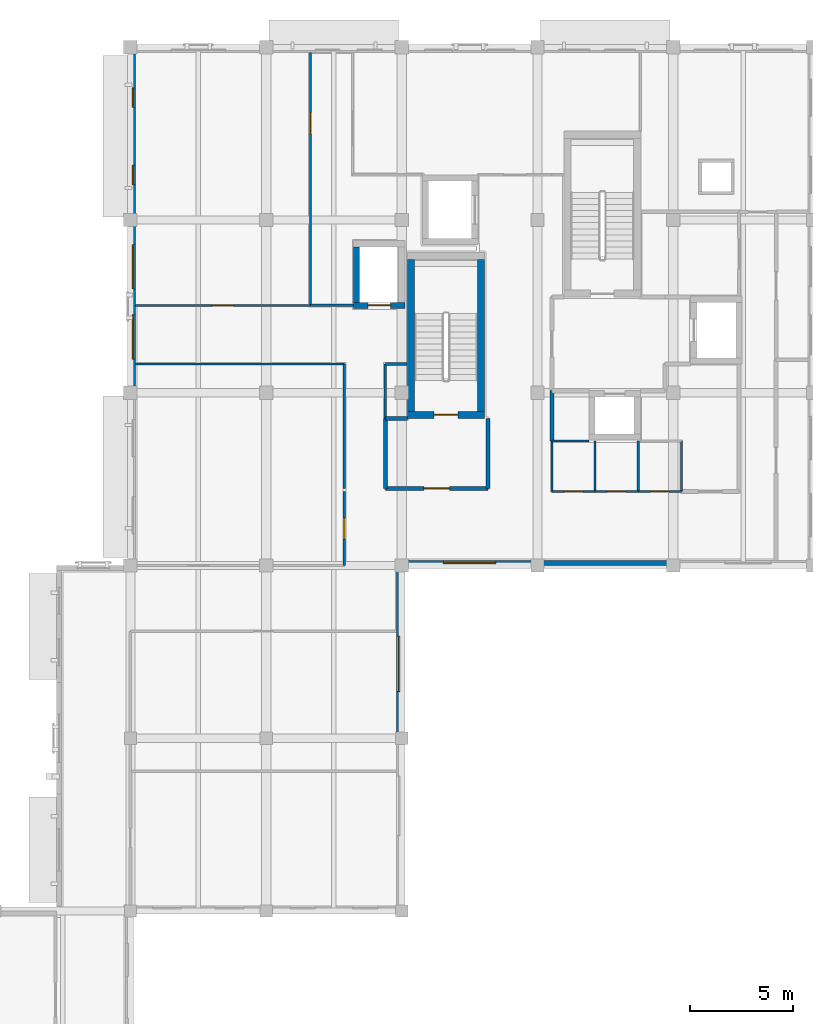
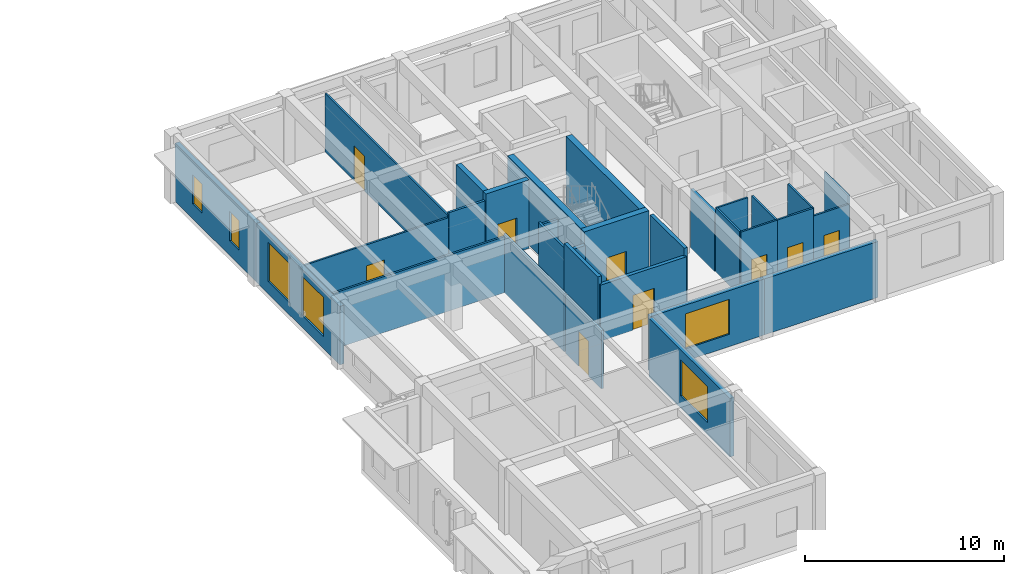
# One storey, part 8 of 14: 31 walls, 9 doors, 6 windows, 15 openings.
"""IFC4 building model written with IfcOpenShell, lengths in metres."""

from ifc_helpers import new_model, si_unit, direction, frame, frame_2d, origin, place, context, subcontext, project, spatial, rectangle, extrude, material, layer, layer_set, type_object, element, fill, save


model = new_model("IFC4")

# Units and contexts
model_context = context("Model", 3, precision=1e-05, world=origin(), true_north=direction((0.0, 1.0)))
body_context = subcontext(model_context, "Body", "Model", "MODEL_VIEW")
ifc_project = project(units=[si_unit("LENGTHUNIT", "METRE"), si_unit("AREAUNIT", "SQUARE_METRE"), si_unit("VOLUMEUNIT", "CUBIC_METRE"), si_unit("PLANEANGLEUNIT", "RADIAN"), si_unit("MASSUNIT", "GRAM", prefix="KILO")], contexts=[model_context])

# Site, building, storey
site_placement = place(None, origin())
site = spatial("IfcSite", under=ifc_project, at=site_placement, CompositionType="ELEMENT")
building_placement = place(site_placement, origin())
building = spatial("IfcBuilding", under=site, at=building_placement, Name="Kolvaren Faculty of Natural Sciences", CompositionType="ELEMENT")
storey_placement = place(building_placement, frame((0.0, 0.0, 28.5)))
storey = spatial("IfcBuildingStorey", under=building, at=storey_placement, Name="L06", CompositionType="ELEMENT", Elevation=28.5)

# Wall, opening, door
ifc_material_1 = material(Name="Concrete C40/50", Category="concrete")
ifc_layer_1 = layer(ifc_material_1, 0.35009765625)
ifc_layer_set_1 = layer_set([ifc_layer_1], Name="Concrete C40/50")
wall_type_1 = type_object("IfcWallType", Name="CoreShearWall_350", PredefinedType="SHEAR", material=ifc_layer_set_1)
wall_1_placement = place(storey_placement, frame((152.27490234375, 66.324951171875, 0.0), z_axis=(0.0, 0.0, 1.0), x_axis=(1.0, 0.0, 0.0)))
wall_1 = element("IfcWall", 1, at=wall_1_placement, inside=storey, type_object=wall_type_1, Name="L06 CORE-C2 stair shear wall S", PredefinedType="SHEAR", context=body_context, shape_type="SweptSolid", body=[
    extrude(rectangle(XDim=3.75, YDim=0.35009765625, at=frame_2d((1.875, 0.0))), origin(), (0.0, 0.0, 1.0), 4.199951171875),
])
opening_1_placement = place(wall_1_placement, frame((1.300048828125, 0.0, 0.0)))
opening_1 = element("IfcOpeningElement", 2, at=opening_1_placement, cuts=wall_1, Name="Opening FD90", PredefinedType="OPENING", context=body_context, shape_type="SweptSolid", body=[
    extrude(rectangle(XDim=1.14990234375, YDim=2.14990234375, at=frame_2d((0.574951171875, 1.074951171875))), frame((0.0, 0.18505859375, 0.0), z_axis=(0.0, -1.0, 0.0), x_axis=(1.0, 0.0, 0.0)), (0.0, 0.0, 1.0), 0.3701171875),
])
ifc_material_2 = material(Name="Fire-rated solid-core hardwood door leaf in steel frame", Category="steel")
door_type_1 = type_object("IfcDoorType", Name="StairCoreFireDoor_1150x2150", OperationType="NOTDEFINED", PredefinedType="DOOR", material=ifc_material_2)
door_1_placement = place(opening_1_placement, origin())
door_1 = element("IfcDoor", 3, at=door_1_placement, inside=storey, type_object=door_type_1, Name="D-ST-ST-2-L06", OperationType="SINGLE_SWING_RIGHT", OverallHeight=2.14990234375, OverallWidth=1.14990234375, PredefinedType="DOOR", context=body_context, shape_type="SweptSolid", body=[
    extrude(rectangle(XDim=1.14990234375, YDim=2.14990234375, at=frame_2d((0.574951171875, 1.074951171875))), frame((0.0, 0.02490234375, 0.0), z_axis=(0.0, -1.0, 0.0), x_axis=(1.0, 0.0, 0.0)), (0.0, 0.0, 1.0), 0.050048828125),
])
fill(opening_1, door_1)

# Walls
for number, where, z_axis, x_axis, name in (
    (4, (152.449951171875, 66.5, 0.0), (0.0, 0.0, 1.0), (0.0, 1.0, 0.0), "L06 CORE-C2 stair shear wall W"),
    (5, (155.85009765625, 66.5, 0.0), (0.0, 0.0, 1.0), (0.0, 1.0, 0.0), "L06 CORE-C2 stair shear wall E"),
):
    element("IfcWall", number, at=place(storey_placement, frame(where, z_axis=z_axis, x_axis=x_axis)), inside=storey, type_object=wall_type_1, Name=name, PredefinedType="SHEAR", context=body_context, shape_type="SweptSolid", body=[
        extrude(rectangle(XDim=7.375, YDim=0.35009765625, at=frame_2d((3.6875, 0.0))), origin(), (0.0, 0.0, 1.0), 4.199951171875),
    ])

# Wall, openings, windows
ifc_material_3 = material(Name="Precast concrete C35/45", Category="concrete")
ifc_layer_2 = layer(ifc_material_3, 0.25)
ifc_layer_set_2 = layer_set([ifc_layer_2], Name="Precast concrete C35/45")
wall_type_2 = type_object("IfcWallType", Name="ExteriorTowerWall_250", PredefinedType="STANDARD", material=ifc_layer_set_2)
wall_2_placement = place(storey_placement, frame((138.925048828125, 67.39990234375, 0.0), z_axis=(0.0, 0.0, 1.0), x_axis=(0.0, 1.0, 0.0)))
wall_2 = element("IfcWall", 6, at=wall_2_placement, inside=storey, type_object=wall_type_2, Name="L06 exterior masonry wall EW-250 (690)", PredefinedType="STANDARD", context=body_context, shape_type="SweptSolid", body=[
    extrude(rectangle(XDim=8.400146484375, YDim=0.25, at=frame_2d((4.2001953125, 0.0))), origin(), (0.0, 0.0, 1.0), 3.5849609375),
])
opening_2_placement = place(wall_2_placement, frame((1.639892578125, 0.0, 0.75)))
opening_2 = element("IfcOpeningElement", 7, at=opening_2_placement, cuts=wall_2, Name="Opening WIN-22", PredefinedType="OPENING", context=body_context, shape_type="SweptSolid", body=[
    extrude(rectangle(XDim=2.14990234375, YDim=2.39990234375, at=frame_2d((1.074951171875, 1.199951171875))), frame((0.0, 0.135009765625, 0.0), z_axis=(0.0, -1.0, 0.0), x_axis=(1.0, 0.0, 0.0)), (0.0, 0.0, 1.0), 0.27001953125),
])
opening_3_placement = place(wall_2_placement, frame((5.056884765625, 0.0, 0.75)))
opening_3 = element("IfcOpeningElement", 8, at=opening_3_placement, cuts=wall_2, Name="Opening WIN-22", PredefinedType="OPENING", context=body_context, shape_type="SweptSolid", body=[
    extrude(rectangle(XDim=2.14990234375, YDim=2.39990234375, at=frame_2d((1.074951171875, 1.199951171875))), frame((0.0, 0.135009765625, 0.0), z_axis=(0.0, -1.0, 0.0), x_axis=(1.0, 0.0, 0.0)), (0.0, 0.0, 1.0), 0.27001953125),
])
ifc_material_4 = material(Name="Double low-E solar control insulated glazing", Category="glass")
window_type_1 = type_object("IfcWindowType", Name="AluWindow_WIN22_2150x2400", PartitioningType="SINGLE_PANEL", PredefinedType="WINDOW", material=ifc_material_4)
window_1_placement = place(opening_2_placement, origin())
window_1 = element("IfcWindow", 9, at=window_1_placement, inside=storey, type_object=window_type_1, Name="WIN-L06-0522", OverallHeight=2.39990234375, OverallWidth=2.14990234375, PartitioningType="SINGLE_PANEL", PredefinedType="WINDOW", context=body_context, shape_type="SweptSolid", body=[
    extrude(rectangle(XDim=2.14990234375, YDim=2.39990234375, at=frame_2d((1.074951171875, 1.199951171875))), frame((0.0, 0.030029296875, 0.0), z_axis=(0.0, -1.0, 0.0), x_axis=(1.0, 0.0, 0.0)), (0.0, 0.0, 1.0), 0.06005859375),
])
fill(opening_2, window_1)
window_2_placement = place(opening_3_placement, origin())
window_2 = element("IfcWindow", 10, at=window_2_placement, inside=storey, type_object=window_type_1, Name="WIN-L06-0523", OverallHeight=2.39990234375, OverallWidth=2.14990234375, PartitioningType="SINGLE_PANEL", PredefinedType="WINDOW", context=body_context, shape_type="SweptSolid", body=[
    extrude(rectangle(XDim=2.14990234375, YDim=2.39990234375, at=frame_2d((1.074951171875, 1.199951171875))), frame((0.0, 0.030029296875, 0.0), z_axis=(0.0, -1.0, 0.0), x_axis=(1.0, 0.0, 0.0)), (0.0, 0.0, 1.0), 0.06005859375),
])
fill(opening_3, window_2)

wall_3_placement = place(storey_placement, frame((138.925048828125, 75.800048828125, 0.0), z_axis=(0.0, 0.0, 1.0), x_axis=(0.0, 1.0, 0.0)))
wall_3 = element("IfcWall", 11, at=wall_3_placement, inside=storey, type_object=wall_type_2, Name="L06 exterior masonry wall EW-250 (691)", PredefinedType="STANDARD", context=body_context, shape_type="SweptSolid", body=[
    extrude(rectangle(XDim=8.14990234375, YDim=0.25, at=frame_2d((4.074951171875, 0.0))), origin(), (0.0, 0.0, 1.0), 3.5849609375),
])
opening_4_placement = place(wall_3_placement, frame((1.7255859375, 0.0, 0.89990234375)))
opening_4 = element("IfcOpeningElement", 12, at=opening_4_placement, cuts=wall_3, Name="Opening WIN-23", PredefinedType="OPENING", context=body_context, shape_type="SweptSolid", body=[
    extrude(rectangle(XDim=0.949951171875, YDim=1.800048828125, at=frame_2d((0.47509765625, 0.89990234375))), frame((0.0, 0.135009765625, 0.0), z_axis=(0.0, -1.0, 0.0), x_axis=(1.0, 0.0, 0.0)), (0.0, 0.0, 1.0), 0.27001953125),
])
opening_5_placement = place(wall_3_placement, frame((5.474609375, 0.0, 0.89990234375)))
opening_5 = element("IfcOpeningElement", 13, at=opening_5_placement, cuts=wall_3, Name="Opening WIN-23", PredefinedType="OPENING", context=body_context, shape_type="SweptSolid", body=[
    extrude(rectangle(XDim=0.949951171875, YDim=1.800048828125, at=frame_2d((0.47509765625, 0.89990234375))), frame((0.0, 0.135009765625, 0.0), z_axis=(0.0, -1.0, 0.0), x_axis=(1.0, 0.0, 0.0)), (0.0, 0.0, 1.0), 0.27001953125),
])
window_type_2 = type_object("IfcWindowType", Name="AluWindow_WIN23_950x1800", PartitioningType="SINGLE_PANEL", PredefinedType="WINDOW", material=ifc_material_4)
window_3_placement = place(opening_4_placement, origin())
window_3 = element("IfcWindow", 14, at=window_3_placement, inside=storey, type_object=window_type_2, Name="WIN-L06-0524", OverallHeight=1.800048828125, OverallWidth=0.949951171875, PartitioningType="SINGLE_PANEL", PredefinedType="WINDOW", context=body_context, shape_type="SweptSolid", body=[
    extrude(rectangle(XDim=0.949951171875, YDim=1.800048828125, at=frame_2d((0.47509765625, 0.89990234375))), frame((0.0, 0.030029296875, 0.0), z_axis=(0.0, -1.0, 0.0), x_axis=(1.0, 0.0, 0.0)), (0.0, 0.0, 1.0), 0.06005859375),
])
fill(opening_4, window_3)
window_4_placement = place(opening_5_placement, origin())
window_4 = element("IfcWindow", 15, at=window_4_placement, inside=storey, type_object=window_type_2, Name="WIN-L06-0525", OverallHeight=1.800048828125, OverallWidth=0.949951171875, PartitioningType="SINGLE_PANEL", PredefinedType="WINDOW", context=body_context, shape_type="SweptSolid", body=[
    extrude(rectangle(XDim=0.949951171875, YDim=1.800048828125, at=frame_2d((0.47509765625, 0.89990234375))), frame((0.0, 0.030029296875, 0.0), z_axis=(0.0, -1.0, 0.0), x_axis=(1.0, 0.0, 0.0)), (0.0, 0.0, 1.0), 0.06005859375),
])
fill(opening_5, window_4)

# Wall
wall_4_placement = place(storey_placement, frame((165.199951171875, 59.125, 0.0), z_axis=(0.0, 0.0, 1.0), x_axis=(-1.0, 0.0, 0.0)))
element("IfcWall", 16, at=wall_4_placement, inside=storey, type_object=wall_type_2, Name="L06 exterior masonry wall EW-250 (701)", PredefinedType="STANDARD", context=body_context, shape_type="SweptSolid", body=[
    extrude(rectangle(XDim=6.599853515625, YDim=0.25, at=frame_2d((3.2998046875, 0.0))), origin(), (0.0, 0.0, 1.0), 3.43505859375),
])

# Wall, opening, window
wall_5_placement = place(storey_placement, frame((158.60009765625, 59.125, 0.0), z_axis=(0.0, 0.0, 1.0), x_axis=(-1.0, 0.0, 0.0)))
wall_5 = element("IfcWall", 17, at=wall_5_placement, inside=storey, type_object=wall_type_2, Name="L06 exterior masonry wall EW-250 (702)", PredefinedType="STANDARD", context=body_context, shape_type="SweptSolid", body=[
    extrude(rectangle(XDim=6.60009765625, YDim=0.25, at=frame_2d((3.300048828125, 0.0))), origin(), (0.0, 0.0, 1.0), 3.43505859375),
])
opening_6_placement = place(wall_5_placement, frame((2.02490234375, 0.0, 0.75)))
opening_6 = element("IfcOpeningElement", 18, at=opening_6_placement, cuts=wall_5, Name="Opening WIN-10", PredefinedType="OPENING", context=body_context, shape_type="SweptSolid", body=[
    extrude(rectangle(XDim=2.550048828125, YDim=2.14990234375, at=frame_2d((1.27490234375, 1.074951171875))), frame((0.0, 0.135009765625, 0.0), z_axis=(0.0, -1.0, 0.0), x_axis=(1.0, 0.0, 0.0)), (0.0, 0.0, 1.0), 0.27001953125),
])
window_type_3 = type_object("IfcWindowType", Name="AluWindow_WIN10_2550x2150", PartitioningType="SINGLE_PANEL", PredefinedType="WINDOW", material=ifc_material_4)
window_5_placement = place(opening_6_placement, origin())
window_5 = element("IfcWindow", 19, at=window_5_placement, inside=storey, type_object=window_type_3, Name="WIN-L06-0542", OverallHeight=2.14990234375, OverallWidth=2.550048828125, PartitioningType="SINGLE_PANEL", PredefinedType="WINDOW", context=body_context, shape_type="SweptSolid", body=[
    extrude(rectangle(XDim=2.550048828125, YDim=2.14990234375, at=frame_2d((1.27490234375, 1.074951171875))), frame((0.0, 0.030029296875, 0.0), z_axis=(0.0, -1.0, 0.0), x_axis=(1.0, 0.0, 0.0)), (0.0, 0.0, 1.0), 0.06005859375),
])
fill(opening_6, window_5)

wall_6_placement = place(storey_placement, frame((151.875, 58.75, 0.0), z_axis=(0.0, 0.0, 1.0), x_axis=(0.0, -1.0, 0.0)))
wall_6 = element("IfcWall", 20, at=wall_6_placement, inside=storey, type_object=wall_type_2, Name="L06 exterior masonry wall EW-250 (703)", PredefinedType="STANDARD", context=body_context, shape_type="SweptSolid", body=[
    extrude(rectangle(XDim=8.14990234375, YDim=0.25, at=frame_2d((4.074951171875, 0.0))), origin(), (0.0, 0.0, 1.0), 3.5849609375),
])
opening_7_placement = place(wall_6_placement, frame((3.18994140625, 0.0, 0.75)))
opening_7 = element("IfcOpeningElement", 21, at=opening_7_placement, cuts=wall_6, Name="Opening WIN-11", PredefinedType="OPENING", context=body_context, shape_type="SweptSolid", body=[
    extrude(rectangle(XDim=2.699951171875, YDim=2.199951171875, at=frame_2d((1.35009765625, 1.10009765625))), frame((0.0, 0.135009765625, 0.0), z_axis=(0.0, -1.0, 0.0), x_axis=(1.0, 0.0, 0.0)), (0.0, 0.0, 1.0), 0.27001953125),
])
window_type_4 = type_object("IfcWindowType", Name="AluWindow_WIN11_2700x2200", PartitioningType="SINGLE_PANEL", PredefinedType="WINDOW", material=ifc_material_4)
window_6_placement = place(opening_7_placement, origin())
window_6 = element("IfcWindow", 22, at=window_6_placement, inside=storey, type_object=window_type_4, Name="WIN-L06-0543", OverallHeight=2.199951171875, OverallWidth=2.699951171875, PartitioningType="SINGLE_PANEL", PredefinedType="WINDOW", context=body_context, shape_type="SweptSolid", body=[
    extrude(rectangle(XDim=2.699951171875, YDim=2.199951171875, at=frame_2d((1.35009765625, 1.10009765625))), frame((0.0, 0.030029296875, 0.0), z_axis=(0.0, -1.0, 0.0), x_axis=(1.0, 0.0, 0.0)), (0.0, 0.0, 1.0), 0.06005859375),
])
fill(opening_7, window_6)

# Walls
ifc_material_5 = material(Name="Autoclaved aerated fire-rated masonry blockwork", Category="masonry")
ifc_layer_3 = layer(ifc_material_5, 0.199951171875)
ifc_layer_set_3 = layer_set([ifc_layer_3], Name="Autoclaved aerated fire-rated masonry blockwork")
wall_type_3 = type_object("IfcWallType", Name="FireLobbyWall_200", PredefinedType="PARTITIONING", material=ifc_layer_set_3)
wall_7_placement = place(storey_placement, frame((151.199951171875, 66.14990234375, 0.0), z_axis=(0.0, 0.0, 1.0), x_axis=(1.0, 0.0, 0.0)))
element("IfcWall", 23, at=wall_7_placement, inside=storey, type_object=wall_type_3, Name="L06 interior partition FW-200", PredefinedType="PARTITIONING", context=body_context, shape_type="SweptSolid", body=[
    extrude(rectangle(XDim=1.074951171875, YDim=0.199951171875, at=frame_2d((0.53759765625, 0.0))), origin(), (0.0, 0.0, 1.0), 3.43505859375),
])
wall_8_placement = place(storey_placement, frame((156.199951171875, 66.14990234375, 0.0), z_axis=(0.0, 0.0, 1.0), x_axis=(0.0, -1.0, 0.0)))
element("IfcWall", 24, at=wall_8_placement, inside=storey, type_object=wall_type_3, Name="L06 interior partition FW-200", PredefinedType="PARTITIONING", context=body_context, shape_type="SweptSolid", body=[
    extrude(rectangle(XDim=3.39990234375, YDim=0.199951171875, at=frame_2d((1.699951171875, 0.0))), origin(), (0.0, 0.0, 1.0), 3.9150390625),
])

# Wall, opening, door
wall_9_placement = place(storey_placement, frame((156.199951171875, 62.75, 0.0), z_axis=(0.0, 0.0, 1.0), x_axis=(-1.0, 0.0, 0.0)))
wall_9 = element("IfcWall", 25, at=wall_9_placement, inside=storey, type_object=wall_type_3, Name="L06 interior partition FW-200", PredefinedType="PARTITIONING", context=body_context, shape_type="SweptSolid", body=[
    extrude(rectangle(XDim=5.0, YDim=0.199951171875, at=frame_2d((2.5, 0.0))), origin(), (0.0, 0.0, 1.0), 3.43505859375),
])
opening_8_placement = place(wall_9_placement, frame((1.875, 0.0, 0.0)))
opening_8 = element("IfcOpeningElement", 26, at=opening_8_placement, cuts=wall_9, Name="Opening FD60", PredefinedType="OPENING", context=body_context, shape_type="SweptSolid", body=[
    extrude(rectangle(XDim=1.25, YDim=2.14990234375, at=frame_2d((0.625, 1.074951171875))), frame((0.0, 0.10986328125, 0.0), z_axis=(0.0, -1.0, 0.0), x_axis=(1.0, 0.0, 0.0)), (0.0, 0.0, 1.0), 0.219970703125),
])
door_type_2 = type_object("IfcDoorType", Name="RescueLobbyFireDoor_1250x2150", OperationType="NOTDEFINED", PredefinedType="DOOR", material=ifc_material_2)
door_2_placement = place(opening_8_placement, origin())
door_2 = element("IfcDoor", 27, at=door_2_placement, inside=storey, type_object=door_type_2, Name="D-L06-0331", OperationType="SINGLE_SWING_LEFT", OverallHeight=2.14990234375, OverallWidth=1.25, PredefinedType="DOOR", context=body_context, shape_type="SweptSolid", body=[
    extrude(rectangle(XDim=1.25, YDim=2.14990234375, at=frame_2d((0.625, 1.074951171875))), frame((0.0, 0.02490234375, 0.0), z_axis=(0.0, -1.0, 0.0), x_axis=(1.0, 0.0, 0.0)), (0.0, 0.0, 1.0), 0.050048828125),
])
fill(opening_8, door_2)

# Walls
wall_10_placement = place(storey_placement, frame((151.199951171875, 62.75, 0.0), z_axis=(0.0, 0.0, 1.0), x_axis=(0.0, 1.0, 0.0)))
element("IfcWall", 28, at=wall_10_placement, inside=storey, type_object=wall_type_3, Name="L06 interior partition FW-200", PredefinedType="PARTITIONING", context=body_context, shape_type="SweptSolid", body=[
    extrude(rectangle(XDim=3.39990234375, YDim=0.199951171875, at=frame_2d((1.699951171875, 0.0))), origin(), (0.0, 0.0, 1.0), 3.9150390625),
])
ifc_material_6 = material(Name="Acoustic mineral-wool insulated gypsum partition")
ifc_layer_4 = layer(ifc_material_6, 0.18505859375)
ifc_layer_set_4 = layer_set([ifc_layer_4], Name="Acoustic mineral-wool insulated gypsum partition")
wall_type_4 = type_object("IfcWallType", Name="LabPartitionWall_185", PredefinedType="PARTITIONING", material=ifc_layer_set_4)
wall_11_placement = place(storey_placement, frame((159.300048828125, 65.050048828125, 0.0), z_axis=(0.0, 0.0, 1.0), x_axis=(0.0, 1.0, 0.0)))
element("IfcWall", 29, at=wall_11_placement, inside=storey, type_object=wall_type_4, Name="L06 interior partition PW-185", PredefinedType="PARTITIONING", context=body_context, shape_type="SweptSolid", body=[
    extrude(rectangle(XDim=2.449951171875, YDim=0.18505859375, at=frame_2d((1.22509765625, 0.0))), origin(), (0.0, 0.0, 1.0), 3.5849609375),
])
ifc_layer_5 = layer(ifc_material_6, 0.1298828125)
ifc_layer_set_5 = layer_set([ifc_layer_5], Name="Acoustic mineral-wool insulated gypsum partition")
wall_type_5 = type_object("IfcWallType", Name="OfficePartitionWall_130", PredefinedType="PARTITIONING", material=ifc_layer_set_5)
wall_12_placement = place(storey_placement, frame((151.199951171875, 66.14990234375, 0.0), z_axis=(0.0, 0.0, 1.0), x_axis=(0.0, 1.0, 0.0)))
element("IfcWall", 30, at=wall_12_placement, inside=storey, type_object=wall_type_5, Name="L06 interior partition PW-130", PredefinedType="PARTITIONING", context=body_context, shape_type="SweptSolid", body=[
    extrude(rectangle(XDim=2.650146484375, YDim=0.1298828125, at=frame_2d((1.3251953125, 0.0))), origin(), (0.0, 0.0, 1.0), 3.5849609375),
])
wall_13_placement = place(storey_placement, frame((151.199951171875, 68.800048828125, 0.0), z_axis=(0.0, 0.0, 1.0), x_axis=(1.0, 0.0, 0.0)))
element("IfcWall", 31, at=wall_13_placement, inside=storey, type_object=wall_type_5, Name="L06 interior partition PW-130", PredefinedType="PARTITIONING", context=body_context, shape_type="SweptSolid", body=[
    extrude(rectangle(XDim=1.050048828125, YDim=0.1298828125, at=frame_2d((0.52490234375, 0.0))), origin(), (0.0, 0.0, 1.0), 3.43505859375),
])
wall_14_placement = place(storey_placement, frame((149.64990234375, 71.64990234375, 0.0), z_axis=(0.0, 0.0, 1.0), x_axis=(-1.0, 0.0, 0.0)))
element("IfcWall", 32, at=wall_14_placement, inside=storey, type_object=wall_type_5, Name="L06 interior partition PW-130", PredefinedType="PARTITIONING", context=body_context, shape_type="SweptSolid", body=[
    extrude(rectangle(XDim=2.099853515625, YDim=0.1298828125, at=frame_2d((1.0498046875, 0.0))), origin(), (0.0, 0.0, 1.0), 3.735107421875),
])

# Wall, opening, door
ifc_layer_6 = layer(ifc_material_1, 0.300048828125)
ifc_layer_set_6 = layer_set([ifc_layer_6], Name="Concrete C40/50")
wall_type_6 = type_object("IfcWallType", Name="ShaftShearWall_300", PredefinedType="SHEAR", material=ifc_layer_set_6)
wall_15_placement = place(storey_placement, frame((149.64990234375, 71.64990234375, 0.0), z_axis=(0.0, 0.0, 1.0), x_axis=(1.0, 0.0, 0.0)))
wall_15 = element("IfcWall", 33, at=wall_15_placement, inside=storey, type_object=wall_type_6, Name="L06 lift FL-2 shaft wall S", PredefinedType="SHEAR", context=body_context, shape_type="SweptSolid", body=[
    extrude(rectangle(XDim=2.5, YDim=0.300048828125, at=frame_2d((1.25, 0.0))), origin(), (0.0, 0.0, 1.0), 4.199951171875),
])
opening_9_placement = place(wall_15_placement, frame((0.699951171875, 0.0, 0.0)))
opening_9 = element("IfcOpeningElement", 34, at=opening_9_placement, cuts=wall_15, Name="Opening LD-01", PredefinedType="OPENING", context=body_context, shape_type="SweptSolid", body=[
    extrude(rectangle(XDim=1.10009765625, YDim=2.10009765625, at=frame_2d((0.550048828125, 1.050048828125))), frame((0.0, 0.159912109375, 0.0), z_axis=(0.0, -1.0, 0.0), x_axis=(1.0, 0.0, 0.0)), (0.0, 0.0, 1.0), 0.320068359375),
])
ifc_material_7 = material(Name="Brushed stainless steel lift car and sliding door assembly", Category="steel")
door_type_3 = type_object("IfcDoorType", Name="LiftLandingSliding_1100x2100", OperationType="DOUBLE_DOOR_SLIDING", PredefinedType="DOOR", material=ifc_material_7)
door_3_placement = place(opening_9_placement, origin())
door_3 = element("IfcDoor", 35, at=door_3_placement, inside=storey, type_object=door_type_3, Name="D-LIFT-FL-2-L06", OperationType="DOUBLE_DOOR_SLIDING", OverallHeight=2.10009765625, OverallWidth=1.10009765625, PredefinedType="DOOR", context=body_context, shape_type="SweptSolid", body=[
    extrude(rectangle(XDim=1.10009765625, YDim=2.10009765625, at=frame_2d((0.550048828125, 1.050048828125))), frame((0.0, 0.02490234375, 0.0), z_axis=(0.0, -1.0, 0.0), x_axis=(1.0, 0.0, 0.0)), (0.0, 0.0, 1.0), 0.050048828125),
])
fill(opening_9, door_3)

# Wall
wall_16_placement = place(storey_placement, frame((149.800048828125, 71.800048828125, 0.0), z_axis=(0.0, 0.0, 1.0), x_axis=(0.0, 1.0, 0.0)))
element("IfcWall", 36, at=wall_16_placement, inside=storey, type_object=wall_type_6, Name="L06 lift FL-2 shaft wall W", PredefinedType="SHEAR", context=body_context, shape_type="SweptSolid", body=[
    extrude(rectangle(XDim=2.699951171875, YDim=0.300048828125, at=frame_2d((1.35009765625, 0.0))), origin(), (0.0, 0.0, 1.0), 4.199951171875),
])

# Wall, opening, door
ifc_layer_7 = layer(ifc_material_6, 0.114990234375)
ifc_layer_set_7 = layer_set([ifc_layer_7], Name="Acoustic mineral-wool insulated gypsum partition")
wall_type_7 = type_object("IfcWallType", Name="StorePartitionWall_115", PredefinedType="PARTITIONING", material=ifc_layer_set_7)
wall_17_placement = place(storey_placement, frame((149.199951171875, 62.60009765625, 0.0), z_axis=(0.0, 0.0, 1.0), x_axis=(0.0, -1.0, 0.0)))
wall_17 = element("IfcWall", 37, at=wall_17_placement, inside=storey, type_object=wall_type_7, Name="L06 interior partition PW-115", PredefinedType="PARTITIONING", context=body_context, shape_type="SweptSolid", body=[
    extrude(rectangle(XDim=3.60009765625, YDim=0.114990234375, at=frame_2d((1.800048828125, 0.0))), origin(), (0.0, 0.0, 1.0), 3.5849609375),
])
opening_10_placement = place(wall_17_placement, frame((1.294921875, 0.0, 0.0)))
opening_10 = element("IfcOpeningElement", 38, at=opening_10_placement, cuts=wall_17, Name="Opening ID-21", PredefinedType="OPENING", context=body_context, shape_type="SweptSolid", body=[
    extrude(rectangle(XDim=1.010009765625, YDim=2.139892578125, at=frame_2d((0.5048828125, 1.06982421875))), frame((0.0, 0.0673828125, 0.0), z_axis=(0.0, -1.0, 0.0), x_axis=(1.0, 0.0, 0.0)), (0.0, 0.0, 1.0), 0.135009765625),
])
ifc_material_8 = material(Name="Solid-core hardwood veneer door leaf in steel frame", Category="steel")
door_type_4 = type_object("IfcDoorType", Name="InteriorRoomDoor_1010x2140", OperationType="NOTDEFINED", PredefinedType="DOOR", material=ifc_material_8)
door_4_placement = place(opening_10_placement, origin())
door_4 = element("IfcDoor", 39, at=door_4_placement, inside=storey, type_object=door_type_4, Name="D-L06-0339", OperationType="SINGLE_SWING_LEFT", OverallHeight=2.139892578125, OverallWidth=1.010009765625, PredefinedType="DOOR", context=body_context, shape_type="SweptSolid", body=[
    extrude(rectangle(XDim=1.010009765625, YDim=2.139892578125, at=frame_2d((0.5048828125, 1.06982421875))), frame((0.0, 0.02490234375, 0.0), z_axis=(0.0, -1.0, 0.0), x_axis=(1.0, 0.0, 0.0)), (0.0, 0.0, 1.0), 0.050048828125),
])
fill(opening_10, door_4)

# Walls
wall_18_placement = place(storey_placement, frame((139.052001953125, 68.800048828125, 0.0), z_axis=(0.0, 0.0, 1.0), x_axis=(1.0, 0.0, 0.0)))
element("IfcWall", 40, at=wall_18_placement, inside=storey, type_object=wall_type_7, Name="L06 interior partition PW-115", PredefinedType="PARTITIONING", context=body_context, shape_type="SweptSolid", body=[
    extrude(rectangle(XDim=10.14794921875, YDim=0.114990234375, at=frame_2d((5.073974609375, 0.0))), origin(), (0.0, 0.0, 1.0), 3.43505859375),
])
wall_19_placement = place(storey_placement, frame((149.199951171875, 68.800048828125, 0.0), z_axis=(0.0, 0.0, 1.0), x_axis=(0.0, -1.0, 0.0)))
element("IfcWall", 41, at=wall_19_placement, inside=storey, type_object=wall_type_7, Name="L06 interior partition PW-115", PredefinedType="PARTITIONING", context=body_context, shape_type="SweptSolid", body=[
    extrude(rectangle(XDim=6.050048828125, YDim=0.114990234375, at=frame_2d((3.02490234375, 0.0))), origin(), (0.0, 0.0, 1.0), 3.5849609375),
])
ifc_layer_8 = layer(ifc_material_6, 0.10498046875)
ifc_layer_set_8 = layer_set([ifc_layer_8], Name="Acoustic mineral-wool insulated gypsum partition")
wall_type_8 = type_object("IfcWallType", Name="WetRoomPartition_105", PredefinedType="PARTITIONING", material=ifc_layer_set_8)
wall_20_placement = place(storey_placement, frame((159.300048828125, 65.050048828125, 0.0), z_axis=(0.0, 0.0, 1.0), x_axis=(1.0, 0.0, 0.0)))
element("IfcWall", 42, at=wall_20_placement, inside=storey, type_object=wall_type_8, Name="L06 interior partition PW-105", PredefinedType="PARTITIONING", context=body_context, shape_type="SweptSolid", body=[
    extrude(rectangle(XDim=1.800048828125, YDim=0.10498046875, at=frame_2d((0.89990234375, 0.0))), origin(), (0.0, 0.0, 1.0), 3.9150390625),
])
wall_21_placement = place(storey_placement, frame((161.39990234375, 65.050048828125, 0.0), z_axis=(0.0, 0.0, 1.0), x_axis=(0.0, -1.0, 0.0)))
element("IfcWall", 43, at=wall_21_placement, inside=storey, type_object=wall_type_8, Name="L06 interior partition PW-105", PredefinedType="PARTITIONING", context=body_context, shape_type="SweptSolid", body=[
    extrude(rectangle(XDim=2.449951171875, YDim=0.10498046875, at=frame_2d((1.22509765625, 0.0))), origin(), (0.0, 0.0, 1.0), 3.9150390625),
])

# Wall, opening, door
wall_22_placement = place(storey_placement, frame((161.39990234375, 62.60009765625, 0.0), z_axis=(0.0, 0.0, 1.0), x_axis=(-1.0, 0.0, 0.0)))
wall_22 = element("IfcWall", 44, at=wall_22_placement, inside=storey, type_object=wall_type_8, Name="L06 interior partition PW-105", PredefinedType="PARTITIONING", context=body_context, shape_type="SweptSolid", body=[
    extrude(rectangle(XDim=2.099853515625, YDim=0.10498046875, at=frame_2d((1.0498046875, 0.0))), origin(), (0.0, 0.0, 1.0), 3.9150390625),
])
opening_11_placement = place(wall_22_placement, frame((0.60009765625, 0.0, 0.0)))
opening_11 = element("IfcOpeningElement", 45, at=opening_11_placement, cuts=wall_22, Name="Opening ID-01", PredefinedType="OPENING", context=body_context, shape_type="SweptSolid", body=[
    extrude(rectangle(XDim=0.89990234375, YDim=2.02001953125, at=frame_2d((0.449951171875, 1.010009765625))), frame((0.0, 0.0625, 0.0), z_axis=(0.0, -1.0, 0.0), x_axis=(1.0, 0.0, 0.0)), (0.0, 0.0, 1.0), 0.125),
])
door_type_5 = type_object("IfcDoorType", Name="InteriorRoomDoor_900x2020", OperationType="NOTDEFINED", PredefinedType="DOOR", material=ifc_material_8)
door_5_placement = place(opening_11_placement, origin())
door_5 = element("IfcDoor", 46, at=door_5_placement, inside=storey, type_object=door_type_5, Name="D-L06-0333", OperationType="SINGLE_SWING_LEFT", OverallHeight=2.02001953125, OverallWidth=0.89990234375, PredefinedType="DOOR", context=body_context, shape_type="SweptSolid", body=[
    extrude(rectangle(XDim=0.89990234375, YDim=2.02001953125, at=frame_2d((0.449951171875, 1.010009765625))), frame((0.0, 0.02490234375, 0.0), z_axis=(0.0, -1.0, 0.0), x_axis=(1.0, 0.0, 0.0)), (0.0, 0.0, 1.0), 0.050048828125),
])
fill(opening_11, door_5)

# Walls
for number, where, z_axis, x_axis, name in (
    (47, (159.300048828125, 62.60009765625, 0.0), (0.0, 0.0, 1.0), (0.0, 1.0, 0.0), "L06 interior partition PW-105"),
    (48, (163.5, 65.050048828125, 0.0), (0.0, 0.0, 1.0), (0.0, -1.0, 0.0), "L06 interior partition PW-105"),
):
    element("IfcWall", number, at=place(storey_placement, frame(where, z_axis=z_axis, x_axis=x_axis)), inside=storey, type_object=wall_type_8, Name=name, PredefinedType="PARTITIONING", context=body_context, shape_type="SweptSolid", body=[
        extrude(rectangle(XDim=2.449951171875, YDim=0.10498046875, at=frame_2d((1.22509765625, 0.0))), origin(), (0.0, 0.0, 1.0), 3.9150390625),
    ])

# Wall, opening, door
wall_23_placement = place(storey_placement, frame((163.5, 62.60009765625, 0.0), z_axis=(0.0, 0.0, 1.0), x_axis=(-1.0, 0.0, 0.0)))
wall_23 = element("IfcWall", 49, at=wall_23_placement, inside=storey, type_object=wall_type_8, Name="L06 interior partition PW-105", PredefinedType="PARTITIONING", context=body_context, shape_type="SweptSolid", body=[
    extrude(rectangle(XDim=2.10009765625, YDim=0.10498046875, at=frame_2d((1.050048828125, 0.0))), origin(), (0.0, 0.0, 1.0), 3.9150390625),
])
opening_12_placement = place(wall_23_placement, frame((0.60009765625, 0.0, 0.0)))
opening_12 = element("IfcOpeningElement", 50, at=opening_12_placement, cuts=wall_23, Name="Opening ID-01", PredefinedType="OPENING", context=body_context, shape_type="SweptSolid", body=[
    extrude(rectangle(XDim=0.89990234375, YDim=2.02001953125, at=frame_2d((0.449951171875, 1.010009765625))), frame((0.0, 0.0625, 0.0), z_axis=(0.0, -1.0, 0.0), x_axis=(1.0, 0.0, 0.0)), (0.0, 0.0, 1.0), 0.125),
])
door_6_placement = place(opening_12_placement, origin())
door_6 = element("IfcDoor", 51, at=door_6_placement, inside=storey, type_object=door_type_5, Name="D-L06-0334", OperationType="SINGLE_SWING_RIGHT", OverallHeight=2.02001953125, OverallWidth=0.89990234375, PredefinedType="DOOR", context=body_context, shape_type="SweptSolid", body=[
    extrude(rectangle(XDim=0.89990234375, YDim=2.02001953125, at=frame_2d((0.449951171875, 1.010009765625))), frame((0.0, 0.02490234375, 0.0), z_axis=(0.0, -1.0, 0.0), x_axis=(1.0, 0.0, 0.0)), (0.0, 0.0, 1.0), 0.050048828125),
])
fill(opening_12, door_6)

# Wall
wall_24_placement = place(storey_placement, frame((165.60009765625, 65.050048828125, 0.0), z_axis=(0.0, 0.0, 1.0), x_axis=(0.0, -1.0, 0.0)))
element("IfcWall", 52, at=wall_24_placement, inside=storey, type_object=wall_type_8, Name="L06 interior partition PW-105", PredefinedType="PARTITIONING", context=body_context, shape_type="SweptSolid", body=[
    extrude(rectangle(XDim=2.449951171875, YDim=0.10498046875, at=frame_2d((1.22509765625, 0.0))), origin(), (0.0, 0.0, 1.0), 3.9150390625),
])

# Wall, opening, door
wall_25_placement = place(storey_placement, frame((165.60009765625, 62.60009765625, 0.0), z_axis=(0.0, 0.0, 1.0), x_axis=(-1.0, 0.0, 0.0)))
wall_25 = element("IfcWall", 53, at=wall_25_placement, inside=storey, type_object=wall_type_8, Name="L06 interior partition PW-105", PredefinedType="PARTITIONING", context=body_context, shape_type="SweptSolid", body=[
    extrude(rectangle(XDim=2.10009765625, YDim=0.10498046875, at=frame_2d((1.050048828125, 0.0))), origin(), (0.0, 0.0, 1.0), 3.43505859375),
])
opening_13_placement = place(wall_25_placement, frame((0.60009765625, 0.0, 0.0)))
opening_13 = element("IfcOpeningElement", 54, at=opening_13_placement, cuts=wall_25, Name="Opening ID-01", PredefinedType="OPENING", context=body_context, shape_type="SweptSolid", body=[
    extrude(rectangle(XDim=0.89990234375, YDim=2.02001953125, at=frame_2d((0.449951171875, 1.010009765625))), frame((0.0, 0.0625, 0.0), z_axis=(0.0, -1.0, 0.0), x_axis=(1.0, 0.0, 0.0)), (0.0, 0.0, 1.0), 0.125),
])
door_7_placement = place(opening_13_placement, origin())
door_7 = element("IfcDoor", 55, at=door_7_placement, inside=storey, type_object=door_type_5, Name="D-L06-0335", OperationType="SINGLE_SWING_LEFT", OverallHeight=2.02001953125, OverallWidth=0.89990234375, PredefinedType="DOOR", context=body_context, shape_type="SweptSolid", body=[
    extrude(rectangle(XDim=0.89990234375, YDim=2.02001953125, at=frame_2d((0.449951171875, 1.010009765625))), frame((0.0, 0.02490234375, 0.0), z_axis=(0.0, -1.0, 0.0), x_axis=(1.0, 0.0, 0.0)), (0.0, 0.0, 1.0), 0.050048828125),
])
fill(opening_13, door_7)

wall_26_placement = place(storey_placement, frame((147.550048828125, 83.947998046875, 0.0), z_axis=(0.0, 0.0, 1.0), x_axis=(0.0, -1.0, 0.0)))
wall_26 = element("IfcWall", 56, at=wall_26_placement, inside=storey, type_object=wall_type_8, Name="L06 interior partition PW-105", PredefinedType="PARTITIONING", context=body_context, shape_type="SweptSolid", body=[
    extrude(rectangle(XDim=12.298095703125, YDim=0.10498046875, at=frame_2d((6.14892578125, 0.0))), origin(), (0.0, 0.0, 1.0), 3.5849609375),
])
opening_14_placement = place(wall_26_placement, frame((2.92333984375, 0.0, 0.0)))
opening_14 = element("IfcOpeningElement", 57, at=opening_14_placement, cuts=wall_26, Name="Opening ID-22", PredefinedType="OPENING", context=body_context, shape_type="SweptSolid", body=[
    extrude(rectangle(XDim=1.0400390625, YDim=2.139892578125, at=frame_2d((0.52001953125, 1.06982421875))), frame((0.0, 0.0625, 0.0), z_axis=(0.0, -1.0, 0.0), x_axis=(1.0, 0.0, 0.0)), (0.0, 0.0, 1.0), 0.125),
])
door_type_6 = type_object("IfcDoorType", Name="InteriorRoomDoor_1040x2140", OperationType="NOTDEFINED", PredefinedType="DOOR", material=ifc_material_8)
door_8_placement = place(opening_14_placement, origin())
door_8 = element("IfcDoor", 58, at=door_8_placement, inside=storey, type_object=door_type_6, Name="D-L06-0341", OperationType="SINGLE_SWING_LEFT", OverallHeight=2.139892578125, OverallWidth=1.0400390625, PredefinedType="DOOR", context=body_context, shape_type="SweptSolid", body=[
    extrude(rectangle(XDim=1.0400390625, YDim=2.139892578125, at=frame_2d((0.52001953125, 1.06982421875))), frame((0.0, 0.02490234375, 0.0), z_axis=(0.0, -1.0, 0.0), x_axis=(1.0, 0.0, 0.0)), (0.0, 0.0, 1.0), 0.050048828125),
])
fill(opening_14, door_8)

wall_27_placement = place(storey_placement, frame((147.550048828125, 71.64990234375, 0.0), z_axis=(0.0, 0.0, 1.0), x_axis=(-1.0, 0.0, 0.0)))
wall_27 = element("IfcWall", 59, at=wall_27_placement, inside=storey, type_object=wall_type_8, Name="L06 interior partition PW-105", PredefinedType="PARTITIONING", context=body_context, shape_type="SweptSolid", body=[
    extrude(rectangle(XDim=8.498046875, YDim=0.10498046875, at=frame_2d((4.2490234375, 0.0))), origin(), (0.0, 0.0, 1.0), 3.43505859375),
])
opening_15_placement = place(wall_27_placement, frame((3.72900390625, 0.0, 0.0)))
opening_15 = element("IfcOpeningElement", 60, at=opening_15_placement, cuts=wall_27, Name="Opening ID-22", PredefinedType="OPENING", context=body_context, shape_type="SweptSolid", body=[
    extrude(rectangle(XDim=1.0400390625, YDim=2.139892578125, at=frame_2d((0.52001953125, 1.06982421875))), frame((0.0, 0.0625, 0.0), z_axis=(0.0, -1.0, 0.0), x_axis=(1.0, 0.0, 0.0)), (0.0, 0.0, 1.0), 0.125),
])
door_9_placement = place(opening_15_placement, origin())
door_9 = element("IfcDoor", 61, at=door_9_placement, inside=storey, type_object=door_type_6, Name="D-L06-0340", OperationType="SINGLE_SWING_RIGHT", OverallHeight=2.139892578125, OverallWidth=1.0400390625, PredefinedType="DOOR", context=body_context, shape_type="SweptSolid", body=[
    extrude(rectangle(XDim=1.0400390625, YDim=2.139892578125, at=frame_2d((0.52001953125, 1.06982421875))), frame((0.0, 0.02490234375, 0.0), z_axis=(0.0, -1.0, 0.0), x_axis=(1.0, 0.0, 0.0)), (0.0, 0.0, 1.0), 0.050048828125),
])
fill(opening_15, door_9)

save(model, "model.ifc")
